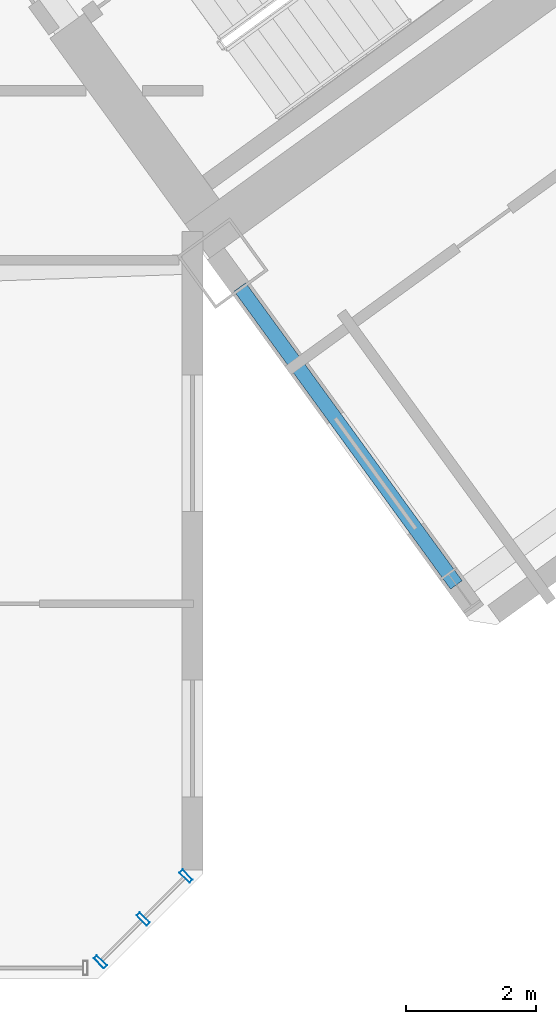
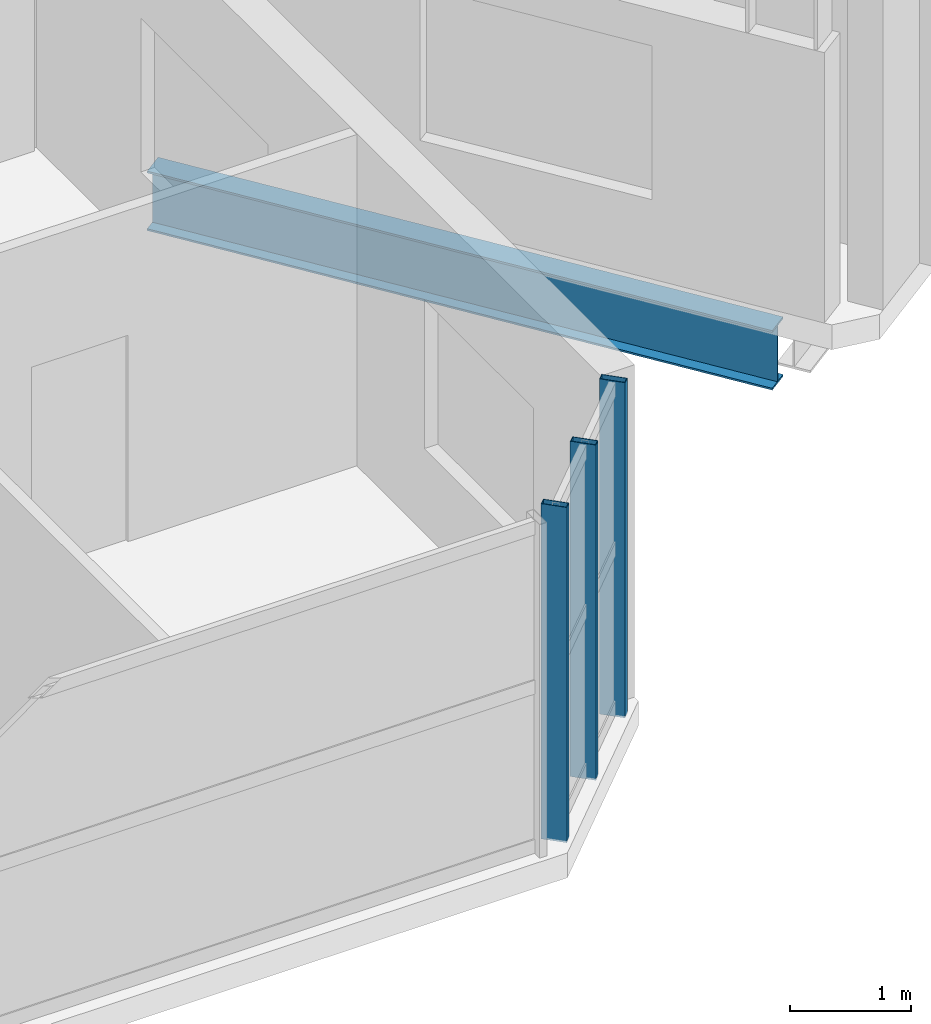
# One storey, part 9 of 24: 3 members, 1 beam, 1 element without a shape of its own.
"""IFC4 building model written with IfcOpenShell, lengths in metres."""

from ifc_helpers import new_model, si_unit, direction, frame, origin, origin_2d, place, context, subcontext, project, spatial, hollow_rectangle, i_section, extrude, source, transform, mapped, material, material_profile, profile_set, type_object, element, aggregate, save


model = new_model("IFC4")

# Units and contexts
model_context = context("Model", 3, precision=1e-05, world=origin(), true_north=direction((0.0, 1.0)))
body_context = subcontext(model_context, "Body", "Model", "MODEL_VIEW")
ifc_project = project(units=[si_unit("LENGTHUNIT", "METRE"), si_unit("AREAUNIT", "SQUARE_METRE"), si_unit("VOLUMEUNIT", "CUBIC_METRE"), si_unit("PLANEANGLEUNIT", "RADIAN"), si_unit("MASSUNIT", "GRAM", prefix="KILO")], contexts=[model_context])

# Site, building, storey
site_placement = place(None, origin())
site = spatial("IfcSite", under=ifc_project, at=site_placement, CompositionType="ELEMENT")
building_placement = place(site_placement, origin())
building = spatial("IfcBuilding", under=site, at=building_placement, Name="Tlacorven Tower", CompositionType="ELEMENT")
storey_placement = place(building_placement, frame((0.0, 0.0, 38.39990234375)))
storey = spatial("IfcBuildingStorey", under=building, at=storey_placement, Name="L09", CompositionType="ELEMENT", Elevation=38.39990234375)

# Beam
ifc_material_1 = material(Name="Steel S355J2", Category="steel")
ifc_material_profile_1 = material_profile(ifc_material_1, i_section(OverallWidth=0.219970703125, OverallDepth=0.60009765625, WebThickness=0.011962890625, FlangeThickness=0.01904296875, at=origin_2d()), Name="IPE 600")
ifc_profile_set_1 = profile_set([ifc_material_profile_1], Name="Steel S355J2")
beam_type = type_object("IfcBeamType", Name="BM-TWR-600", PredefinedType="BEAM", material=ifc_profile_set_1)
shared_shape_1 = source(origin(), body_context, "Body", "SweptSolid", [
    extrude(i_section(OverallWidth=0.219970703125, OverallDepth=0.60009765625, WebThickness=0.011962890625, FlangeThickness=0.01904296875, at=origin_2d()), origin(), (0.0, 0.0, 1.0), 5.650146484375),
])
beam_placement = place(storey_placement, frame((56.291015625, 7.83837890625, -0.5498046875), z_axis=(-0.587783675561, 0.809018139935, 0.0), x_axis=(-0.809018139935, -0.587783675561, 0.0)))
element("IfcBeam", 1, at=beam_placement, inside=storey, type_object=beam_type, Name="L09 beam BM-L09-ET1-1", PredefinedType="BEAM", context=body_context, shape_type="MappedRepresentation", body=[
    mapped(shared_shape_1, transform((0.0, 0.0, 0.0), scale=1.0)),
])

# Curtain wall, members
ifc_material_2 = material(Name="Dark solar low-E double glazing in aluminium frame", Category="aluminium")
curtain_wall_type = type_object("IfcCurtainWallType", Name="CW-TWR-LOW", PredefinedType="USERDEFINED", material=ifc_material_2)
curtain_wall_placement = place(storey_placement, origin())
curtain_wall = element("IfcCurtainWall", 2, at=curtain_wall_placement, inside=storey, type_object=curtain_wall_type, Name="L09 CW-TWR-LOW Curtain Wall 45", ObjectType="UNITISED CURTAIN WALL", PredefinedType="USERDEFINED")
ifc_material_3 = material(Name="Aluminium 6063-T6 anodised", Category="aluminium")
ifc_material_profile_2 = material_profile(ifc_material_3, hollow_rectangle(XDim=0.070068359375, YDim=0.219970703125, WallThickness=0.0048828125, at=origin_2d()), Name="ALU MULLION 70X220")
ifc_profile_set_2 = profile_set([ifc_material_profile_2], Name="Aluminium 6063-T6 anodised")
member_type = type_object("IfcMemberType", Name="CWM-01", PredefinedType="MULLION", material=ifc_profile_set_2)
shared_shape_2 = source(origin(), body_context, "Body", "SweptSolid", [
    extrude(hollow_rectangle(XDim=0.070068359375, YDim=0.219970703125, WallThickness=0.0048828125, at=origin_2d()), origin(), (0.0, 0.0, 1.0), 3.380126953125),
])
member_1_placement = place(storey_placement, frame((52.14453125, 3.370849609375, -0.02001953125), z_axis=(0.0, 0.0, 1.0), x_axis=(-0.707106781187, -0.707106781187, 0.0)))
member_1 = element("IfcMember", 3, at=member_1_placement, type_object=member_type, Name="CW-L09-045 Mullion 1", PredefinedType="MULLION", context=body_context, shape_type="MappedRepresentation", body=[
    mapped(shared_shape_2, transform((0.0, 0.0, 0.0), scale=1.0)),
])
member_2_placement = place(storey_placement, frame((51.48681640625, 2.713134765625, -0.02001953125), z_axis=(0.0, 0.0, 1.0), x_axis=(-0.707106781187, -0.707106781187, 0.0)))
member_2 = element("IfcMember", 4, at=member_2_placement, type_object=member_type, Name="CW-L09-045 Mullion 2", PredefinedType="MULLION", context=body_context, shape_type="MappedRepresentation", body=[
    mapped(shared_shape_2, transform((0.0, 0.0, 0.0), scale=1.0)),
])
member_3_placement = place(storey_placement, frame((50.8291015625, 2.055419921875, -0.02001953125), z_axis=(0.0, 0.0, 1.0), x_axis=(-0.707106781187, -0.707106781187, 0.0)))
member_3 = element("IfcMember", 5, at=member_3_placement, type_object=member_type, Name="CW-L09-045 Mullion 3", PredefinedType="MULLION", context=body_context, shape_type="MappedRepresentation", body=[
    mapped(shared_shape_2, transform((0.0, 0.0, 0.0), scale=1.0)),
])
aggregate(curtain_wall, [member_1, member_2, member_3])

save(model, "model.ifc")
